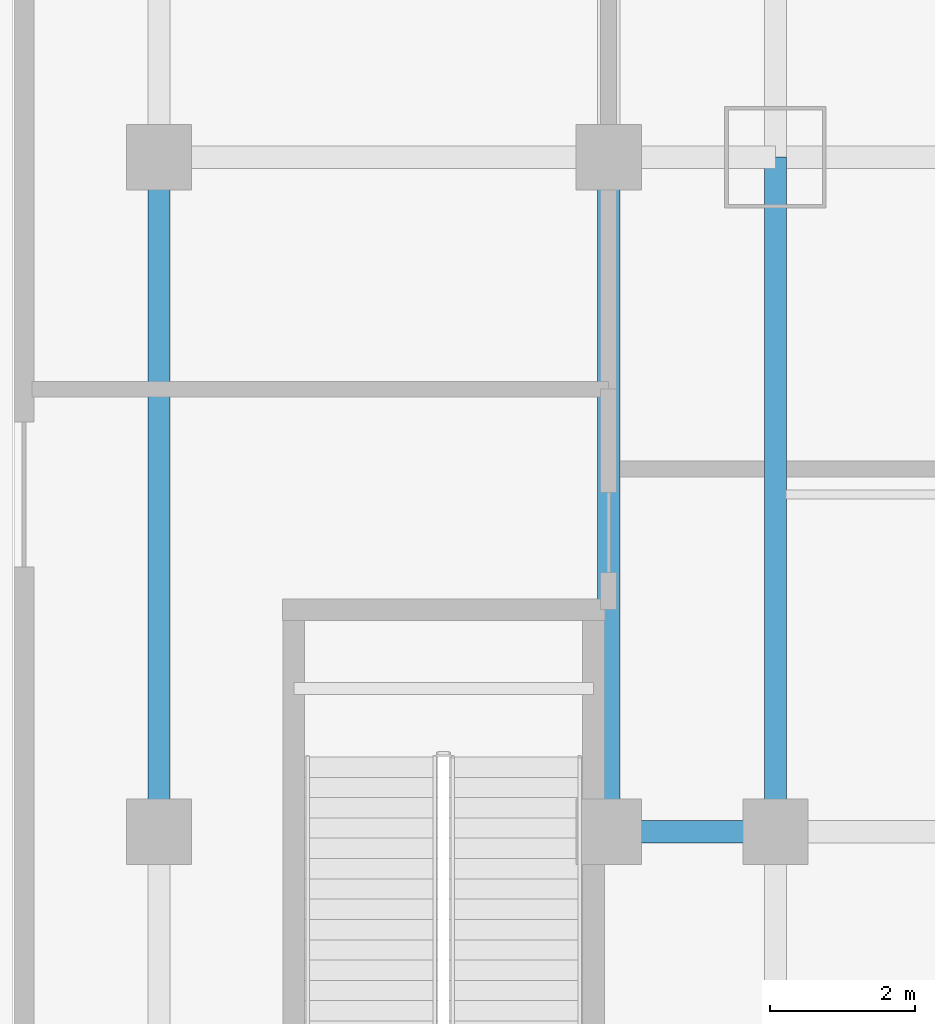
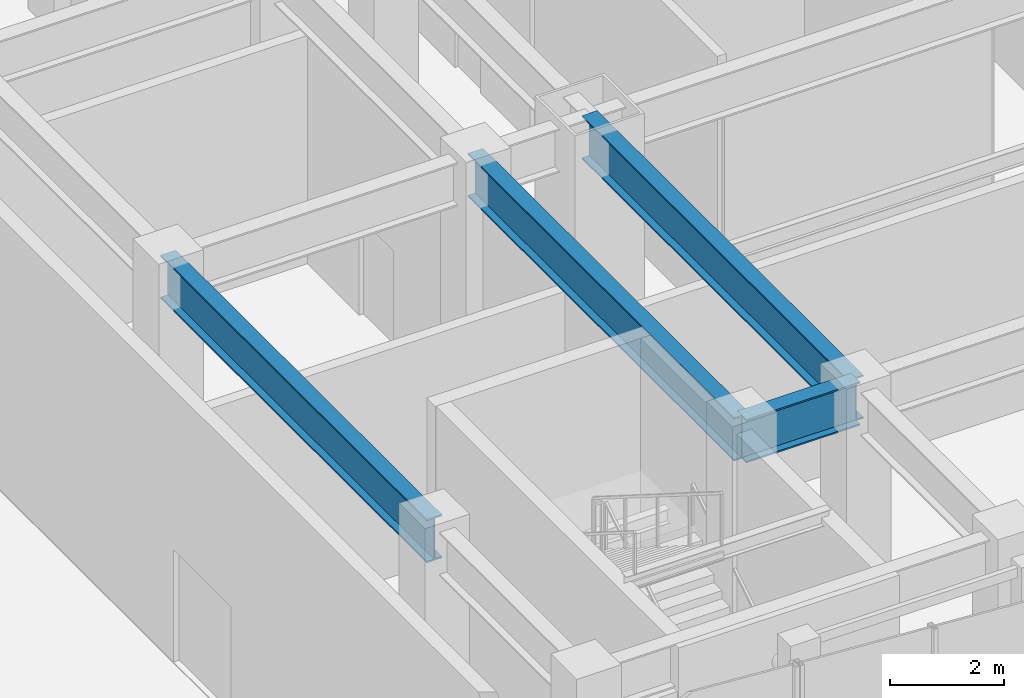
# One storey, part 3 of 23: 4 beams.
"""IFC4 building model written with IfcOpenShell, lengths in metres."""

from ifc_helpers import new_model, si_unit, direction, frame, origin, origin_2d, place, context, subcontext, project, spatial, i_section, extrude, material, material_profile, profile_set, type_object, element, save


model = new_model("IFC4")

# Units and contexts
model_context = context("Model", 3, precision=1e-05, world=origin(), true_north=direction((0.0, 1.0)))
body_context = subcontext(model_context, "Body", "Model", "MODEL_VIEW")
ifc_project = project(units=[si_unit("LENGTHUNIT", "METRE"), si_unit("AREAUNIT", "SQUARE_METRE"), si_unit("VOLUMEUNIT", "CUBIC_METRE"), si_unit("PLANEANGLEUNIT", "RADIAN"), si_unit("MASSUNIT", "GRAM", prefix="KILO")], contexts=[model_context])

# Site, building, storey
site_placement = place(None, origin())
site = spatial("IfcSite", under=ifc_project, at=site_placement, CompositionType="ELEMENT")
building_placement = place(site_placement, origin())
building = spatial("IfcBuilding", under=site, at=building_placement, Name="Vantalir Tower", CompositionType="ELEMENT")
storey_placement = place(building_placement, origin())
storey = spatial("IfcBuildingStorey", under=building, at=storey_placement, Name="L00", CompositionType="ELEMENT", Elevation=0.0)

# Beams
ifc_material = material(Name="Steel S355", Category="steel")
ifc_material_profile = material_profile(ifc_material, i_section(OverallWidth=0.30810546875, OverallDepth=0.927001953125, WebThickness=0.01953125, FlangeThickness=0.031982421875, at=origin_2d()), Name="Steel S355")
ifc_profile_set = profile_set([ifc_material_profile], Name="Steel S355")
beam_type = type_object("IfcBeamType", Name="BM-PG-914x305", PredefinedType="USERDEFINED", material=ifc_profile_set)
beam_placement = place(storey_placement, frame((8.199951171875, 8.5, 5.35693359375), z_axis=(1.0, 0.0, 0.0), x_axis=(0.0, 1.0, 0.0)))
element("IfcBeam", 1, at=beam_placement, inside=storey, type_object=beam_type, Name="L00 Podium E-W Girder 07", ObjectType="GIRDER", PredefinedType="USERDEFINED", context=body_context, shape_type="SweptSolid", body=[
    extrude(i_section(OverallWidth=0.30810546875, OverallDepth=0.927001953125, WebThickness=0.01953125, FlangeThickness=0.031982421875, at=origin_2d()), origin(), (0.0, 0.0, 1.0), 2.300048828125),
])
for number, where, z_axis, x_axis, name in (
    (2, (2.0, 8.5, 5.35693359375), (0.0, 1.0, 0.0), (-1.0, 0.0, 0.0), "L00 Podium N-S Girder 42"),
    (3, (8.199951171875, 8.5, 5.35693359375), (0.0, 1.0, 0.0), (-1.0, 0.0, 0.0), "L00 Podium N-S Girder 47"),
    (4, (10.5, 8.5, 5.35693359375), (0.0, 1.0, 0.0), (-1.0, 0.0, 0.0), "L00 Podium N-S Girder 51"),
):
    element("IfcBeam", number, at=place(storey_placement, frame(where, z_axis=z_axis, x_axis=x_axis)), inside=storey, type_object=beam_type, Name=name, ObjectType="GIRDER", PredefinedType="USERDEFINED", context=body_context, shape_type="SweptSolid", body=[
        extrude(i_section(OverallWidth=0.30810546875, OverallDepth=0.927001953125, WebThickness=0.01953125, FlangeThickness=0.031982421875, at=origin_2d()), origin(), (0.0, 0.0, 1.0), 9.300048828125),
    ])

save(model, "model.ifc")
